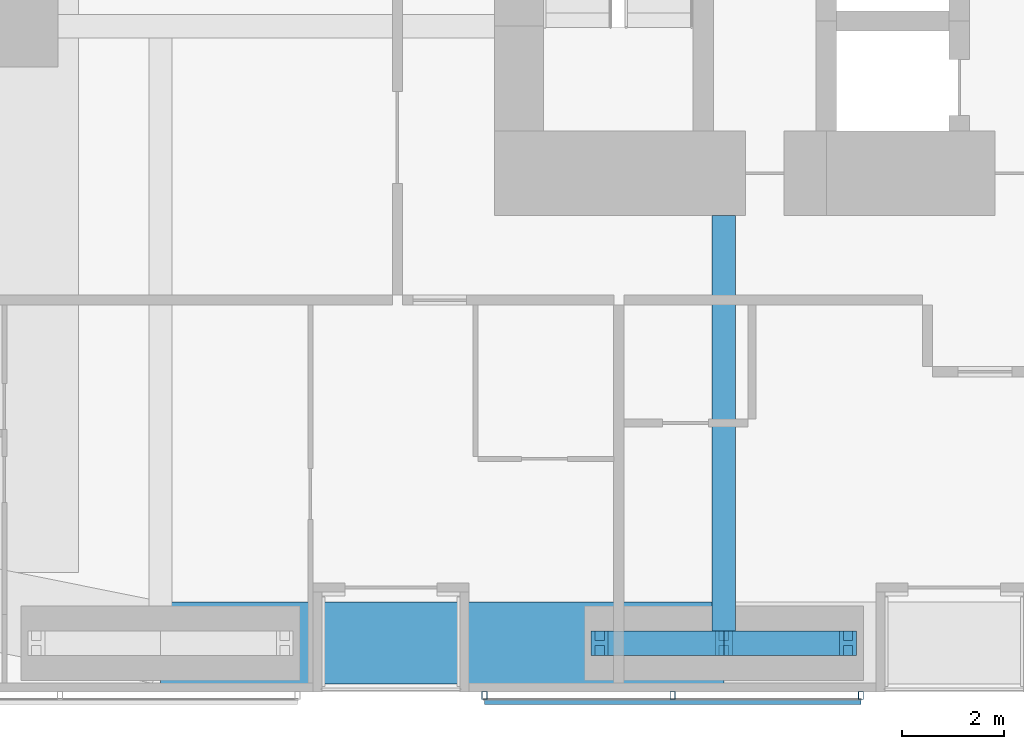
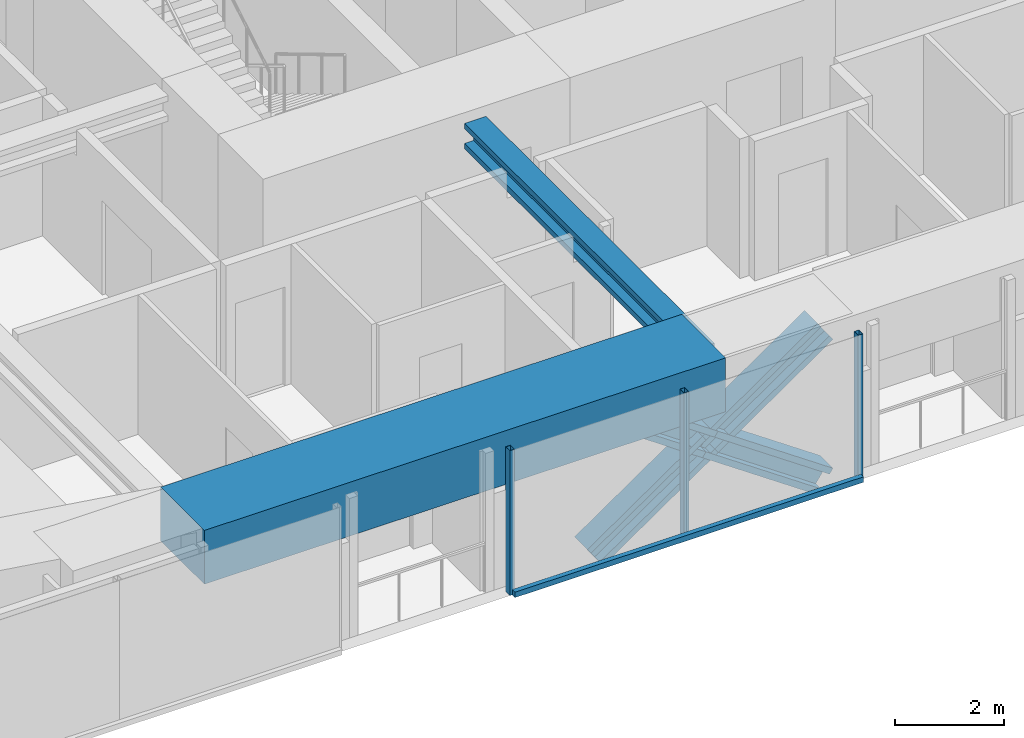
# One storey, part 4 of 23: 8 members, 2 beams, 1 element without a shape of its own.
"""IFC4 building model written with IfcOpenShell, lengths in metres."""

from ifc_helpers import new_model, si_unit, direction, frame, origin, origin_2d, place, context, subcontext, project, spatial, rectangle, hollow_rectangle, i_section, extrude, material, material_profile, profile_set, type_object, element, aggregate, save


model = new_model("IFC4")

# Units and contexts
model_context = context("Model", 3, precision=1e-05, world=origin(), true_north=direction((0.0, 1.0)))
body_context = subcontext(model_context, "Body", "Model", "MODEL_VIEW")
ifc_project = project(units=[si_unit("LENGTHUNIT", "METRE"), si_unit("AREAUNIT", "SQUARE_METRE"), si_unit("VOLUMEUNIT", "CUBIC_METRE"), si_unit("PLANEANGLEUNIT", "RADIAN"), si_unit("MASSUNIT", "GRAM", prefix="KILO")], contexts=[model_context])

# Site, building, storey
site_placement = place(None, origin())
site = spatial("IfcSite", under=ifc_project, at=site_placement, CompositionType="ELEMENT")
building_placement = place(site_placement, origin())
building = spatial("IfcBuilding", under=site, at=building_placement, Name="Jalousie Tower", CompositionType="ELEMENT")
storey_placement = place(building_placement, frame((0.0, 0.0, 34.39990234375)))
storey = spatial("IfcBuildingStorey", under=building, at=storey_placement, Name="L08", CompositionType="ELEMENT", Elevation=34.39990234375)

# Beam
ifc_material_1 = material(Name="Steel ASTM A992 Grade 50", Category="steel")
ifc_material_profile_1 = material_profile(ifc_material_1, i_section(OverallWidth=0.45458984375, OverallDepth=0.569091796875, WebThickness=0.077880859375, FlangeThickness=0.124755859375, at=origin_2d()), Name="W14X730")
ifc_profile_set_1 = profile_set([ifc_material_profile_1], Name="Steel ASTM A992 Grade 50")
beam_type_1 = type_object("IfcBeamType", Name="LEAN COLLECTOR W14X730", PredefinedType="BEAM", material=ifc_profile_set_1)
beam_1_placement = place(storey_placement, frame((24.0, 0.949951171875, 2.82568359375), z_axis=(0.0, 1.0, 0.0), x_axis=(-1.0, 0.0, 0.0)))
element("IfcBeam", 1, at=beam_1_placement, inside=storey, type_object=beam_type_1, Name="Lean collector under L09", PredefinedType="BEAM", context=body_context, shape_type="SweptSolid", body=[
    extrude(i_section(OverallWidth=0.45458984375, OverallDepth=0.569091796875, WebThickness=0.077880859375, FlangeThickness=0.124755859375, at=origin_2d()), origin(), (0.0, 0.0, 1.0), 8.35009765625),
])

# Members
ifc_material_2 = material(Name="Steel ASTM A992 Grade 50", Category="steel")
ifc_material_profile_2 = material_profile(ifc_material_2, i_section(OverallWidth=0.472412109375, OverallDepth=0.5791015625, WebThickness=0.094970703125, FlangeThickness=0.1298828125, at=origin_2d()), Name="W14X808")
ifc_profile_set_2 = profile_set([ifc_material_profile_2], Name="Steel ASTM A992 Grade 50")
member_type_1 = type_object("IfcMemberType", Name="PERIMETER BRACE W14X808", PredefinedType="BRACE", material=ifc_profile_set_2)
for number, where, z_axis, x_axis, name in (
    (2, (21.574951171875, 0.949951171875, -0.599853515625), (0.822800062329, 0.0, 0.568330940062), (0.0, 1.0, 0.0), "Perimeter brace 03 L08 part 1"),
    (3, (24.0, 0.949951171875, 1.0751953125), (0.82283879777, 0.0, 0.568274856811), (0.0, 1.0, 0.0), "Perimeter brace 03 L08 part 2"),
    (4, (26.425048828125, 0.949951171875, -0.599853515625), (-0.822800062329, 0.0, 0.568330940062), (0.0, -1.0, 0.0), "Perimeter brace 03 L08 part 3"),
    (5, (24.0, 0.949951171875, 1.0751953125), (-0.82283879777, 0.0, 0.568274856811), (0.0, -1.0, 0.0), "Perimeter brace 03 L08 part 4"),
):
    element("IfcMember", number, at=place(storey_placement, frame(where, z_axis=z_axis, x_axis=x_axis)), inside=storey, type_object=member_type_1, Name=name, PredefinedType="BRACE", context=body_context, shape_type="SweptSolid", body=[
        extrude(i_section(OverallWidth=0.472412109375, OverallDepth=0.5791015625, WebThickness=0.094970703125, FlangeThickness=0.1298828125, at=origin_2d()), origin(), (0.0, 0.0, 1.0), 2.947265625),
    ])

# Beam
ifc_material_3 = material(Name="Concrete f'c 40 MPa", Category="concrete")
ifc_material_profile_3 = material_profile(ifc_material_3, rectangle(XDim=1.60009765625, YDim=1.199951171875, at=origin_2d()), Name="RC 1600x1200")
ifc_profile_set_3 = profile_set([ifc_material_profile_3], Name="Concrete f'c 40 MPa")
beam_type_2 = type_object("IfcBeamType", Name="RC BEAM 1600x1200", PredefinedType="BEAM", material=ifc_profile_set_3)
beam_2_placement = place(storey_placement, frame((13.0, 0.949951171875, 2.75), z_axis=(1.0, 0.0, 0.0), x_axis=(0.0, 1.0, 0.0)))
element("IfcBeam", 6, at=beam_2_placement, inside=storey, type_object=beam_type_2, Name="Edge band beam 02-03 under L09", PredefinedType="BEAM", context=body_context, shape_type="SweptSolid", body=[
    extrude(rectangle(XDim=1.60009765625, YDim=1.199951171875, at=origin_2d()), origin(), (0.0, 0.0, 1.0), 11.0),
])

# Curtain wall, members
ifc_material_4 = material(Name="Perforated aluminium sheet", Category="aluminium")
curtain_wall_type = type_object("IfcCurtainWallType", Name="SOLAR SCREEN SS-1", PredefinedType="USERDEFINED", material=ifc_material_4)
curtain_wall_placement = place(storey_placement, origin())
curtain_wall = element("IfcCurtainWall", 7, at=curtain_wall_placement, inside=storey, type_object=curtain_wall_type, Name="Solar screen L08", ObjectType="SOLAR SCREEN SS-1", PredefinedType="USERDEFINED")
ifc_material_5 = material(Name="Steel ASTM A500 Grade C", Category="steel")
ifc_material_profile_4 = material_profile(ifc_material_5, hollow_rectangle(XDim=0.1015625, YDim=0.15234375, WallThickness=0.00634765625, at=origin_2d()), Name="HSS6X4X1/4")
ifc_profile_set_4 = profile_set([ifc_material_profile_4], Name="Steel ASTM A500 Grade C")
member_type_2 = type_object("IfcMemberType", Name="SOLAR SCREEN SS-1 MULLION", PredefinedType="MULLION", material=ifc_profile_set_4)
member_1_placement = place(storey_placement, frame((19.324951171875, -0.0712890625, -0.119873046875), z_axis=(0.0, 0.0, 1.0), x_axis=(1.0, 0.0, 0.0)))
member_1 = element("IfcMember", 8, at=member_1_placement, type_object=member_type_2, Name="SS1 post 1", PredefinedType="MULLION", context=body_context, shape_type="SweptSolid", body=[
    extrude(hollow_rectangle(XDim=0.1015625, YDim=0.15234375, WallThickness=0.00634765625, at=origin_2d()), origin(), (0.0, 0.0, 1.0), 3.22998046875),
])
member_2_placement = place(storey_placement, frame((23.0, -0.0712890625, -0.119873046875), z_axis=(0.0, 0.0, 1.0), x_axis=(1.0, 0.0, 0.0)))
member_2 = element("IfcMember", 9, at=member_2_placement, type_object=member_type_2, Name="SS1 post 2", PredefinedType="MULLION", context=body_context, shape_type="SweptSolid", body=[
    extrude(hollow_rectangle(XDim=0.1015625, YDim=0.15234375, WallThickness=0.00634765625, at=origin_2d()), origin(), (0.0, 0.0, 1.0), 3.22998046875),
])
member_3_placement = place(storey_placement, frame((26.675048828125, -0.0712890625, -0.119873046875), z_axis=(0.0, 0.0, 1.0), x_axis=(1.0, 0.0, 0.0)))
member_3 = element("IfcMember", 10, at=member_3_placement, type_object=member_type_2, Name="SS1 post 3", PredefinedType="MULLION", context=body_context, shape_type="SweptSolid", body=[
    extrude(hollow_rectangle(XDim=0.1015625, YDim=0.15234375, WallThickness=0.00634765625, at=origin_2d()), origin(), (0.0, 0.0, 1.0), 3.22998046875),
])
ifc_material_6 = material(Name="Extruded aluminium screen rail", Category="aluminium")
ifc_material_profile_5 = material_profile(ifc_material_6, rectangle(XDim=0.1015625, YDim=0.1201171875, at=origin_2d()), Name="RAIL 102x120")
ifc_profile_set_5 = profile_set([ifc_material_profile_5], Name="Extruded aluminium screen rail")
member_type_3 = type_object("IfcMemberType", Name="SOLAR SCREEN SS-1 TRANSOM", PredefinedType="USERDEFINED", material=ifc_profile_set_5)
member_4_placement = place(storey_placement, frame((19.324951171875, -0.1982421875, -0.059814453125), z_axis=(1.0, 0.0, 0.0), x_axis=(0.0, 1.0, 0.0)))
member_4 = element("IfcMember", 11, at=member_4_placement, type_object=member_type_3, Name="SS1 rail", ObjectType="TRANSOM", PredefinedType="USERDEFINED", context=body_context, shape_type="SweptSolid", body=[
    extrude(rectangle(XDim=0.1015625, YDim=0.1201171875, at=origin_2d()), origin(), (0.0, 0.0, 1.0), 7.35009765625),
])
aggregate(curtain_wall, [member_1, member_2, member_3, member_4])

save(model, "model.ifc")
